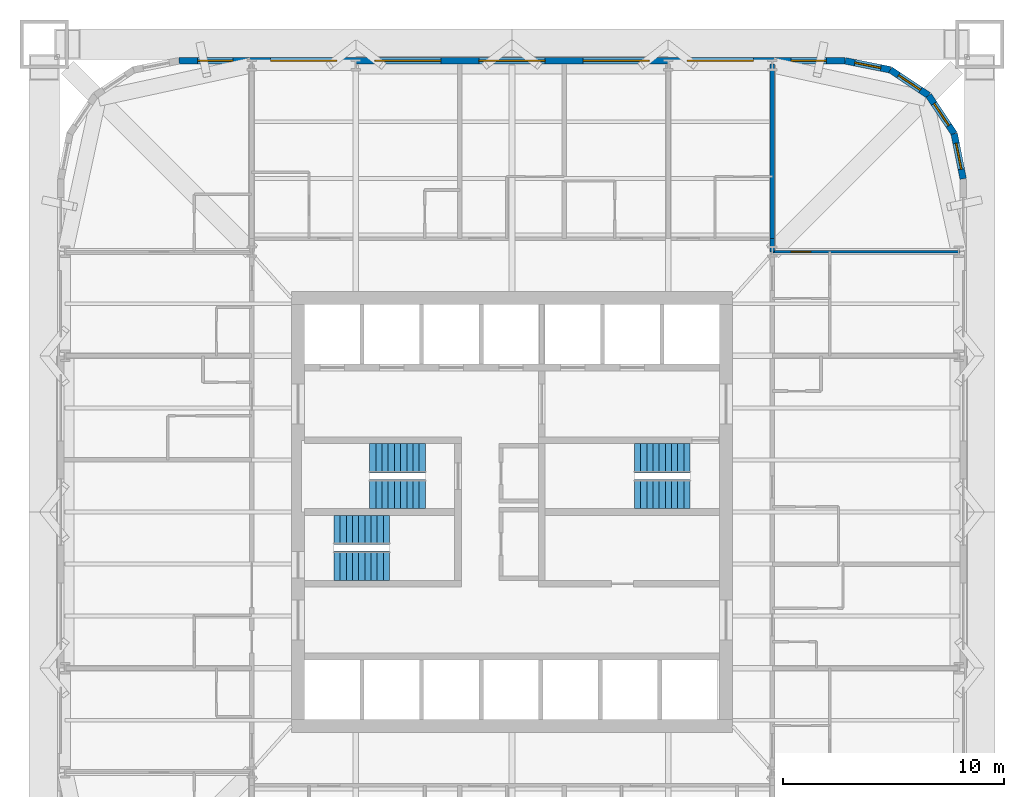
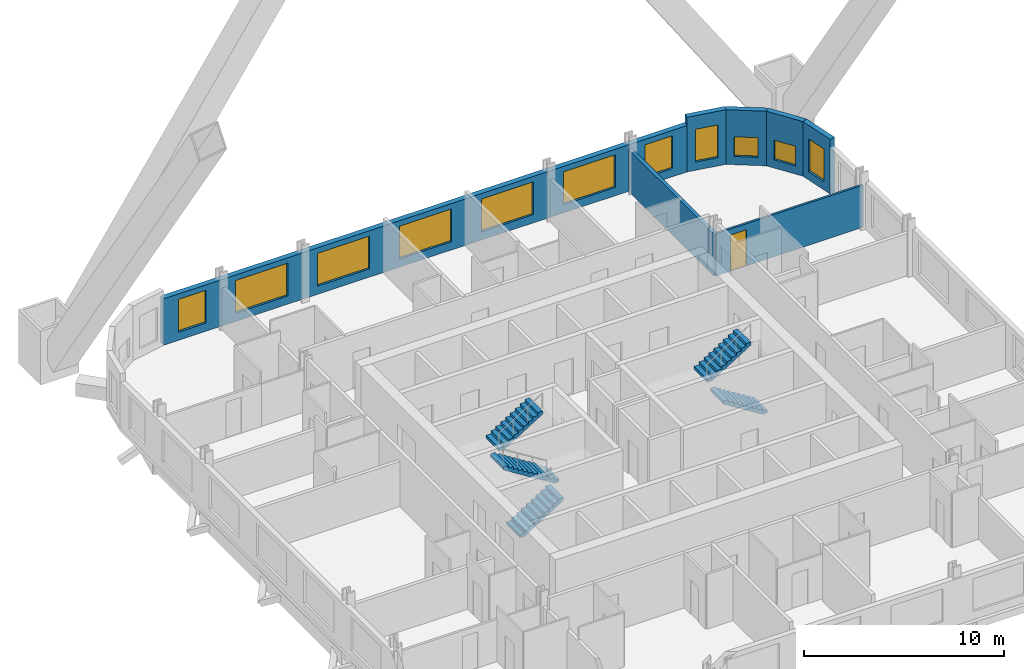
# One storey, part 8 of 9: 11 windows, 8 walls, 6 stair flights, 1 door, 12 openings, 3 elements without a shape of their own.
"""IFC4 building model written with IfcOpenShell, lengths in metres."""

from ifc_helpers import new_model, si_unit, direction, frame, frame_2d, origin, place, context, subcontext, project, spatial, polyline, rectangle, outline, extrude, material, layer, layer_set, type_object, element, fill, aggregate, save


model = new_model("IFC4")

# Units and contexts
model_context = context("Model", 3, precision=1e-05, world=origin(), true_north=direction((0.0, 1.0)))
body_context = subcontext(model_context, "Body", "Model", "MODEL_VIEW")
ifc_project = project(units=[si_unit("LENGTHUNIT", "METRE"), si_unit("AREAUNIT", "SQUARE_METRE"), si_unit("VOLUMEUNIT", "CUBIC_METRE"), si_unit("PLANEANGLEUNIT", "RADIAN"), si_unit("MASSUNIT", "GRAM", prefix="KILO")], contexts=[model_context])

# Site, building, storey
site_placement = place(None, origin())
site = spatial("IfcSite", under=ifc_project, at=site_placement, CompositionType="ELEMENT")
building_placement = place(site_placement, origin())
building = spatial("IfcBuilding", under=site, at=building_placement, Name="Turquesa Mirador Hotel Tower", CompositionType="ELEMENT")
storey_placement = place(building_placement, frame((0.0, 0.0, 93.39990234375)))
storey = spatial("IfcBuildingStorey", under=building, at=storey_placement, Name="L24", CompositionType="ELEMENT", Elevation=93.39990234375)

# Wall
ifc_material_1 = material(Name="Fire-rated gypsum board on steel studs", Category="steel")
ifc_layer_1 = layer(ifc_material_1, 0.199951171875)
ifc_layer_set_1 = layer_set([ifc_layer_1], Name="CORRIDOR WALL 200")
wall_type_1 = type_object("IfcWallType", Name="CORRIDOR WALL 200", PredefinedType="PARTITIONING", material=ifc_layer_set_1)
wall_1_placement = place(storey_placement, frame((66.800048828125, 56.780029296875, 0.0), z_axis=(0.0, 0.0, 1.0), x_axis=(0.0, 1.0, 0.0)))
element("IfcWall", 1, at=wall_1_placement, inside=storey, type_object=wall_type_1, Name="Partition L24 080", PredefinedType="PARTITIONING", context=body_context, shape_type="SweptSolid", body=[
    extrude(rectangle(XDim=0.619873046875, YDim=0.199951171875, at=frame_2d((0.31005859375, 0.0))), origin(), (0.0, 0.0, 1.0), 2.5732421875),
])

# Wall, opening, window
ifc_material_2 = material(Name="Limestone cladding on concrete block", Category="masonry")
ifc_layer_2 = layer(ifc_material_2, 0.300048828125)
ifc_layer_set_2 = layer_set([ifc_layer_2], Name="FACADE WALL 300 STONE SCREEN")
wall_type_2 = type_object("IfcWallType", Name="FACADE WALL 300 STONE SCREEN", PredefinedType="SOLIDWALL", material=ifc_layer_set_2)
wall_2_placement = place(storey_placement, frame((75.449951171875, 60.10009765625, 0.0), z_axis=(0.0, 0.0, 1.0), x_axis=(-0.195081421501, 0.980787050784, 0.0)))
wall_2 = element("IfcWall", 2, at=wall_2_placement, inside=storey, type_object=wall_type_2, Name="Facade wall L24 05", PredefinedType="SOLIDWALL", context=body_context, shape_type="SweptSolid", body=[
    extrude(rectangle(XDim=2.08740234375, YDim=0.300048828125, at=frame_2d((1.043701171875, 0.0))), origin(), (0.0, 0.0, 1.0), 3.330078125),
])
opening_1_placement = place(wall_2_placement, frame((0.443603515625, 0.0, 0.5)))
opening_1 = element("IfcOpeningElement", 3, at=opening_1_placement, cuts=wall_2, Name="Opening WN4", PredefinedType="OPENING", context=body_context, shape_type="SweptSolid", body=[
    extrude(rectangle(XDim=1.199951171875, YDim=2.0, at=frame_2d((0.60009765625, 1.0))), frame((0.0, 0.159912109375, 0.0), z_axis=(0.0, -1.0, 0.0), x_axis=(1.0, 0.0, 0.0)), (0.0, 0.0, 1.0), 0.320068359375),
])
ifc_material_3 = material(Name="Ceramic-fritted laminated glass", Category="glass")
window_type_1 = type_object("IfcWindowType", Name="FRITTED CORNER WINDOW 1200X2000", PartitioningType="DOUBLE_PANEL_HORIZONTAL", PredefinedType="WINDOW", material=ifc_material_3)
window_1_placement = place(opening_1_placement, origin())
window_1 = element("IfcWindow", 4, at=window_1_placement, inside=storey, type_object=window_type_1, Name="Window L24", OverallHeight=2.0, OverallWidth=1.199951171875, PartitioningType="SINGLE_PANEL", PredefinedType="WINDOW", context=body_context, shape_type="SweptSolid", body=[
    extrude(rectangle(XDim=1.199951171875, YDim=2.0, at=frame_2d((0.60009765625, 1.0))), frame((0.0, 0.030029296875, 0.0), z_axis=(0.0, -1.0, 0.0), x_axis=(1.0, 0.0, 0.0)), (0.0, 0.0, 1.0), 0.06005859375),
])
fill(opening_1, window_1)

wall_3_placement = place(storey_placement, frame((75.042724609375, 62.1474609375, 0.0), z_axis=(0.0, 0.0, 1.0), x_axis=(-0.555563607591, 0.831474039234, 0.0)))
wall_3 = element("IfcWall", 5, at=wall_3_placement, inside=storey, type_object=wall_type_2, Name="Facade wall L24 06", PredefinedType="SOLIDWALL", context=body_context, shape_type="SweptSolid", body=[
    extrude(rectangle(XDim=2.08740234375, YDim=0.300048828125, at=frame_2d((1.043701171875, 0.0))), origin(), (0.0, 0.0, 1.0), 3.330078125),
])
opening_2_placement = place(wall_3_placement, frame((0.443603515625, 0.0, 0.5)))
opening_2 = element("IfcOpeningElement", 6, at=opening_2_placement, cuts=wall_3, Name="Opening WN23", PredefinedType="OPENING", context=body_context, shape_type="SweptSolid", body=[
    extrude(rectangle(XDim=1.199951171875, YDim=1.199951171875, at=frame_2d((0.60009765625, 0.60009765625))), frame((0.0, 0.159912109375, 0.0), z_axis=(0.0, -1.0, 0.0), x_axis=(1.0, 0.0, 0.0)), (0.0, 0.0, 1.0), 0.320068359375),
])
ifc_material_4 = material(Name="Ceramic-fritted laminated glass", Category="glass")
window_type_2 = type_object("IfcWindowType", Name="FRITTED CORNER WINDOW 1200X1200", PartitioningType="DOUBLE_PANEL_HORIZONTAL", PredefinedType="WINDOW", material=ifc_material_4)
window_2_placement = place(opening_2_placement, origin())
window_2 = element("IfcWindow", 7, at=window_2_placement, inside=storey, type_object=window_type_2, Name="Window L24", OverallHeight=1.199951171875, OverallWidth=1.199951171875, PartitioningType="SINGLE_PANEL", PredefinedType="WINDOW", context=body_context, shape_type="SweptSolid", body=[
    extrude(rectangle(XDim=1.199951171875, YDim=1.199951171875, at=frame_2d((0.60009765625, 0.60009765625))), frame((0.0, 0.030029296875, 0.0), z_axis=(0.0, -1.0, 0.0), x_axis=(1.0, 0.0, 0.0)), (0.0, 0.0, 1.0), 0.06005859375),
])
fill(opening_2, window_2)

wall_4_placement = place(storey_placement, frame((73.883056640625, 63.883056640625, 0.0), z_axis=(0.0, 0.0, 1.0), x_axis=(-0.831474039234, 0.555563607591, 0.0)))
wall_4 = element("IfcWall", 8, at=wall_4_placement, inside=storey, type_object=wall_type_2, Name="Facade wall L24 07", PredefinedType="SOLIDWALL", context=body_context, shape_type="SweptSolid", body=[
    extrude(rectangle(XDim=2.08740234375, YDim=0.300048828125, at=frame_2d((1.043701171875, 0.0))), origin(), (0.0, 0.0, 1.0), 3.330078125),
])
opening_3_placement = place(wall_4_placement, frame((0.443603515625, 0.0, 0.5)))
opening_3 = element("IfcOpeningElement", 9, at=opening_3_placement, cuts=wall_4, Name="Opening WN23", PredefinedType="OPENING", context=body_context, shape_type="SweptSolid", body=[
    extrude(rectangle(XDim=1.199951171875, YDim=1.199951171875, at=frame_2d((0.60009765625, 0.60009765625))), frame((0.0, 0.159912109375, 0.0), z_axis=(0.0, -1.0, 0.0), x_axis=(1.0, 0.0, 0.0)), (0.0, 0.0, 1.0), 0.320068359375),
])
window_3_placement = place(opening_3_placement, origin())
window_3 = element("IfcWindow", 10, at=window_3_placement, inside=storey, type_object=window_type_2, Name="Window L24", OverallHeight=1.199951171875, OverallWidth=1.199951171875, PartitioningType="SINGLE_PANEL", PredefinedType="WINDOW", context=body_context, shape_type="SweptSolid", body=[
    extrude(rectangle(XDim=1.199951171875, YDim=1.199951171875, at=frame_2d((0.60009765625, 0.60009765625))), frame((0.0, 0.030029296875, 0.0), z_axis=(0.0, -1.0, 0.0), x_axis=(1.0, 0.0, 0.0)), (0.0, 0.0, 1.0), 0.06005859375),
])
fill(opening_3, window_3)

wall_5_placement = place(storey_placement, frame((72.1474609375, 65.042724609375, 0.0), z_axis=(0.0, 0.0, 1.0), x_axis=(-0.980787050784, 0.195081421501, 0.0)))
wall_5 = element("IfcWall", 11, at=wall_5_placement, inside=storey, type_object=wall_type_2, Name="Facade wall L24 08", PredefinedType="SOLIDWALL", context=body_context, shape_type="SweptSolid", body=[
    extrude(rectangle(XDim=2.08740234375, YDim=0.300048828125, at=frame_2d((1.043701171875, 0.0))), origin(), (0.0, 0.0, 1.0), 3.330078125),
])
opening_4_placement = place(wall_5_placement, frame((0.443603515625, 0.0, 0.5)))
opening_4 = element("IfcOpeningElement", 12, at=opening_4_placement, cuts=wall_5, Name="Opening WN4", PredefinedType="OPENING", context=body_context, shape_type="SweptSolid", body=[
    extrude(rectangle(XDim=1.199951171875, YDim=2.0, at=frame_2d((0.60009765625, 1.0))), frame((0.0, 0.159912109375, 0.0), z_axis=(0.0, -1.0, 0.0), x_axis=(1.0, 0.0, 0.0)), (0.0, 0.0, 1.0), 0.320068359375),
])
window_4_placement = place(opening_4_placement, origin())
window_4 = element("IfcWindow", 13, at=window_4_placement, inside=storey, type_object=window_type_1, Name="Window L24", OverallHeight=2.0, OverallWidth=1.199951171875, PartitioningType="SINGLE_PANEL", PredefinedType="WINDOW", context=body_context, shape_type="SweptSolid", body=[
    extrude(rectangle(XDim=1.199951171875, YDim=2.0, at=frame_2d((0.60009765625, 1.0))), frame((0.0, 0.030029296875, 0.0), z_axis=(0.0, -1.0, 0.0), x_axis=(1.0, 0.0, 0.0)), (0.0, 0.0, 1.0), 0.06005859375),
])
fill(opening_4, window_4)

# Wall, openings, windows
wall_6_placement = place(storey_placement, frame((70.10009765625, 65.449951171875, 0.0), z_axis=(0.0, 0.0, 1.0), x_axis=(-1.0, 0.0, 0.0)))
wall_6 = element("IfcWall", 14, at=wall_6_placement, inside=storey, type_object=wall_type_2, Name="Facade wall L24 09", PredefinedType="SOLIDWALL", context=body_context, shape_type="SweptSolid", body=[
    extrude(rectangle(XDim=30.2001953125, YDim=0.300048828125, at=frame_2d((15.10009765625, 0.0))), origin(), (0.0, 0.0, 1.0), 2.830078125),
])
opening_5_placement = place(wall_6_placement, frame((0.85009765625, 0.0, 0.5)))
opening_5 = element("IfcOpeningElement", 15, at=opening_5_placement, cuts=wall_6, Name="Opening WN3", PredefinedType="OPENING", context=body_context, shape_type="SweptSolid", body=[
    extrude(rectangle(XDim=1.60009765625, YDim=2.0, at=frame_2d((0.800048828125, 1.0))), frame((0.0, 0.159912109375, 0.0), z_axis=(0.0, -1.0, 0.0), x_axis=(1.0, 0.0, 0.0)), (0.0, 0.0, 1.0), 0.320068359375),
])
opening_6_placement = place(wall_6_placement, frame((4.159912109375, 0.0, 0.5)))
opening_6 = element("IfcOpeningElement", 16, at=opening_6_placement, cuts=wall_6, Name="Opening WN1", PredefinedType="OPENING", context=body_context, shape_type="SweptSolid", body=[
    extrude(rectangle(XDim=3.0, YDim=2.0, at=frame_2d((1.5, 1.0))), frame((0.0, 0.159912109375, 0.0), z_axis=(0.0, -1.0, 0.0), x_axis=(1.0, 0.0, 0.0)), (0.0, 0.0, 1.0), 0.320068359375),
])
opening_7_placement = place(wall_6_placement, frame((8.8798828125, 0.0, 0.5)))
opening_7 = element("IfcOpeningElement", 17, at=opening_7_placement, cuts=wall_6, Name="Opening WN1", PredefinedType="OPENING", context=body_context, shape_type="SweptSolid", body=[
    extrude(rectangle(XDim=3.0, YDim=2.0, at=frame_2d((1.5, 1.0))), frame((0.0, 0.159912109375, 0.0), z_axis=(0.0, -1.0, 0.0), x_axis=(1.0, 0.0, 0.0)), (0.0, 0.0, 1.0), 0.320068359375),
])
opening_8_placement = place(wall_6_placement, frame((13.60009765625, 0.0, 0.5)))
opening_8 = element("IfcOpeningElement", 18, at=opening_8_placement, cuts=wall_6, Name="Opening WN1", PredefinedType="OPENING", context=body_context, shape_type="SweptSolid", body=[
    extrude(rectangle(XDim=3.0, YDim=2.0, at=frame_2d((1.5, 1.0))), frame((0.0, 0.159912109375, 0.0), z_axis=(0.0, -1.0, 0.0), x_axis=(1.0, 0.0, 0.0)), (0.0, 0.0, 1.0), 0.320068359375),
])
opening_9_placement = place(wall_6_placement, frame((18.320068359375, 0.0, 0.5)))
opening_9 = element("IfcOpeningElement", 19, at=opening_9_placement, cuts=wall_6, Name="Opening WN1", PredefinedType="OPENING", context=body_context, shape_type="SweptSolid", body=[
    extrude(rectangle(XDim=3.0, YDim=2.0, at=frame_2d((1.5, 1.0))), frame((0.0, 0.159912109375, 0.0), z_axis=(0.0, -1.0, 0.0), x_axis=(1.0, 0.0, 0.0)), (0.0, 0.0, 1.0), 0.320068359375),
])
opening_10_placement = place(wall_6_placement, frame((23.0400390625, 0.0, 0.5)))
opening_10 = element("IfcOpeningElement", 20, at=opening_10_placement, cuts=wall_6, Name="Opening WN1", PredefinedType="OPENING", context=body_context, shape_type="SweptSolid", body=[
    extrude(rectangle(XDim=3.0, YDim=2.0, at=frame_2d((1.5, 1.0))), frame((0.0, 0.159912109375, 0.0), z_axis=(0.0, -1.0, 0.0), x_axis=(1.0, 0.0, 0.0)), (0.0, 0.0, 1.0), 0.320068359375),
])
opening_11_placement = place(wall_6_placement, frame((27.75, 0.0, 0.5)))
opening_11 = element("IfcOpeningElement", 21, at=opening_11_placement, cuts=wall_6, Name="Opening WN3", PredefinedType="OPENING", context=body_context, shape_type="SweptSolid", body=[
    extrude(rectangle(XDim=1.60009765625, YDim=2.0, at=frame_2d((0.800048828125, 1.0))), frame((0.0, 0.159912109375, 0.0), z_axis=(0.0, -1.0, 0.0), x_axis=(1.0, 0.0, 0.0)), (0.0, 0.0, 1.0), 0.320068359375),
])
ifc_material_5 = material(Name="Ceramic-fritted laminated glass", Category="glass")
window_type_3 = type_object("IfcWindowType", Name="FRITTED WINDOW 1600X2000", PartitioningType="DOUBLE_PANEL_HORIZONTAL", PredefinedType="WINDOW", material=ifc_material_5)
window_5_placement = place(opening_5_placement, origin())
window_5 = element("IfcWindow", 22, at=window_5_placement, inside=storey, type_object=window_type_3, Name="Window L24", OverallHeight=2.0, OverallWidth=1.60009765625, PartitioningType="SINGLE_PANEL", PredefinedType="WINDOW", context=body_context, shape_type="SweptSolid", body=[
    extrude(rectangle(XDim=1.60009765625, YDim=2.0, at=frame_2d((0.800048828125, 1.0))), frame((0.0, 0.030029296875, 0.0), z_axis=(0.0, -1.0, 0.0), x_axis=(1.0, 0.0, 0.0)), (0.0, 0.0, 1.0), 0.06005859375),
])
fill(opening_5, window_5)
window_6_placement = place(opening_11_placement, origin())
window_6 = element("IfcWindow", 23, at=window_6_placement, inside=storey, type_object=window_type_3, Name="Window L24", OverallHeight=2.0, OverallWidth=1.60009765625, PartitioningType="SINGLE_PANEL", PredefinedType="WINDOW", context=body_context, shape_type="SweptSolid", body=[
    extrude(rectangle(XDim=1.60009765625, YDim=2.0, at=frame_2d((0.800048828125, 1.0))), frame((0.0, 0.030029296875, 0.0), z_axis=(0.0, -1.0, 0.0), x_axis=(1.0, 0.0, 0.0)), (0.0, 0.0, 1.0), 0.06005859375),
])
fill(opening_11, window_6)
ifc_material_6 = material(Name="Ceramic-fritted laminated glass", Category="glass")
window_type_4 = type_object("IfcWindowType", Name="FRITTED WINDOW 3000X2000", PartitioningType="DOUBLE_PANEL_HORIZONTAL", PredefinedType="WINDOW", material=ifc_material_6)
window_7_placement = place(opening_6_placement, origin())
window_7 = element("IfcWindow", 24, at=window_7_placement, inside=storey, type_object=window_type_4, Name="Window L24", OverallHeight=2.0, OverallWidth=3.0, PartitioningType="SINGLE_PANEL", PredefinedType="WINDOW", context=body_context, shape_type="SweptSolid", body=[
    extrude(rectangle(XDim=3.0, YDim=2.0, at=frame_2d((1.5, 1.0))), frame((0.0, 0.030029296875, 0.0), z_axis=(0.0, -1.0, 0.0), x_axis=(1.0, 0.0, 0.0)), (0.0, 0.0, 1.0), 0.06005859375),
])
fill(opening_6, window_7)
window_8_placement = place(opening_7_placement, origin())
window_8 = element("IfcWindow", 25, at=window_8_placement, inside=storey, type_object=window_type_4, Name="Window L24", OverallHeight=2.0, OverallWidth=3.0, PartitioningType="SINGLE_PANEL", PredefinedType="WINDOW", context=body_context, shape_type="SweptSolid", body=[
    extrude(rectangle(XDim=3.0, YDim=2.0, at=frame_2d((1.5, 1.0))), frame((0.0, 0.030029296875, 0.0), z_axis=(0.0, -1.0, 0.0), x_axis=(1.0, 0.0, 0.0)), (0.0, 0.0, 1.0), 0.06005859375),
])
fill(opening_7, window_8)
window_9_placement = place(opening_8_placement, origin())
window_9 = element("IfcWindow", 26, at=window_9_placement, inside=storey, type_object=window_type_4, Name="Window L24", OverallHeight=2.0, OverallWidth=3.0, PartitioningType="SINGLE_PANEL", PredefinedType="WINDOW", context=body_context, shape_type="SweptSolid", body=[
    extrude(rectangle(XDim=3.0, YDim=2.0, at=frame_2d((1.5, 1.0))), frame((0.0, 0.030029296875, 0.0), z_axis=(0.0, -1.0, 0.0), x_axis=(1.0, 0.0, 0.0)), (0.0, 0.0, 1.0), 0.06005859375),
])
fill(opening_8, window_9)
window_10_placement = place(opening_9_placement, origin())
window_10 = element("IfcWindow", 27, at=window_10_placement, inside=storey, type_object=window_type_4, Name="Window L24", OverallHeight=2.0, OverallWidth=3.0, PartitioningType="SINGLE_PANEL", PredefinedType="WINDOW", context=body_context, shape_type="SweptSolid", body=[
    extrude(rectangle(XDim=3.0, YDim=2.0, at=frame_2d((1.5, 1.0))), frame((0.0, 0.030029296875, 0.0), z_axis=(0.0, -1.0, 0.0), x_axis=(1.0, 0.0, 0.0)), (0.0, 0.0, 1.0), 0.06005859375),
])
fill(opening_9, window_10)
window_11_placement = place(opening_10_placement, origin())
window_11 = element("IfcWindow", 28, at=window_11_placement, inside=storey, type_object=window_type_4, Name="Window L24", OverallHeight=2.0, OverallWidth=3.0, PartitioningType="SINGLE_PANEL", PredefinedType="WINDOW", context=body_context, shape_type="SweptSolid", body=[
    extrude(rectangle(XDim=3.0, YDim=2.0, at=frame_2d((1.5, 1.0))), frame((0.0, 0.030029296875, 0.0), z_axis=(0.0, -1.0, 0.0), x_axis=(1.0, 0.0, 0.0)), (0.0, 0.0, 1.0), 0.06005859375),
])
fill(opening_10, window_11)

# Wall
ifc_material_7 = material(Name="Fire-rated gypsum board on steel studs", Category="steel")
ifc_layer_3 = layer(ifc_material_7, 0.199951171875)
ifc_layer_set_3 = layer_set([ifc_layer_3], Name="PARTY WALL 200")
wall_type_3 = type_object("IfcWallType", Name="PARTY WALL 200", PredefinedType="PARTITIONING", material=ifc_layer_set_3)
wall_7_placement = place(storey_placement, frame((66.800048828125, 57.39990234375, 0.0), z_axis=(0.0, 0.0, 1.0), x_axis=(0.0, 1.0, 0.0)))
element("IfcWall", 29, at=wall_7_placement, inside=storey, type_object=wall_type_3, Name="Partition L24 060", PredefinedType="PARTITIONING", context=body_context, shape_type="SweptSolid", body=[
    extrude(rectangle(XDim=7.900146484375, YDim=0.199951171875, at=frame_2d((3.9501953125, 0.0))), origin(), (0.0, 0.0, 1.0), 2.5732421875),
])

# Wall, opening, door
ifc_material_8 = material(Name="Acoustic gypsum board on steel studs", Category="steel")
ifc_layer_4 = layer(ifc_material_8, 0.125)
ifc_layer_set_4 = layer_set([ifc_layer_4], Name="SUITE PARTITION 125")
wall_type_4 = type_object("IfcWallType", Name="SUITE PARTITION 125", PredefinedType="PARTITIONING", material=ifc_layer_set_4)
wall_8_placement = place(storey_placement, frame((66.800048828125, 56.800048828125, 0.0), z_axis=(0.0, 0.0, 1.0), x_axis=(1.0, 0.0, 0.0)))
wall_8 = element("IfcWall", 30, at=wall_8_placement, inside=storey, type_object=wall_type_4, Name="Partition L24 023", PredefinedType="PARTITIONING", context=body_context, shape_type="SweptSolid", body=[
    extrude(rectangle(XDim=8.5, YDim=0.125, at=frame_2d((4.25, 0.0))), origin(), (0.0, 0.0, 1.0), 2.5732421875),
])
opening_12_placement = place(wall_8_placement, frame((0.85009765625, 0.0, 0.0)))
opening_12 = element("IfcOpeningElement", 31, at=opening_12_placement, cuts=wall_8, Name="Opening D17", PredefinedType="OPENING", context=body_context, shape_type="SweptSolid", body=[
    extrude(rectangle(XDim=0.89990234375, YDim=2.199951171875, at=frame_2d((0.449951171875, 1.10009765625))), frame((0.0, 0.072509765625, 0.0), z_axis=(0.0, -1.0, 0.0), x_axis=(1.0, 0.0, 0.0)), (0.0, 0.0, 1.0), 0.14501953125),
])
ifc_material_9 = material(Name="Timber veneered door", Category="wood")
door_type = type_object("IfcDoorType", Name="DOOR 900X2200 SUITE INTERNAL", OperationType="SINGLE_SWING_LEFT", PredefinedType="DOOR", material=ifc_material_9)
door_placement = place(opening_12_placement, origin())
door = element("IfcDoor", 32, at=door_placement, inside=storey, type_object=door_type, Name="Door 2411", OperationType="SINGLE_SWING_LEFT", OverallHeight=2.199951171875, OverallWidth=0.89990234375, PredefinedType="DOOR", context=body_context, shape_type="SweptSolid", body=[
    extrude(rectangle(XDim=0.89990234375, YDim=2.199951171875, at=frame_2d((0.449951171875, 1.10009765625))), frame((0.0, 0.02490234375, 0.0), z_axis=(0.0, -1.0, 0.0), x_axis=(1.0, 0.0, 0.0)), (0.0, 0.0, 1.0), 0.050048828125),
])
fill(opening_12, door)

# Stair, stair flights
ifc_material_10 = material(Name="Concrete C35/45", Category="concrete")
stair_type = type_object("IfcStairType", Name="ESCAPE STAIR CORE", PredefinedType="HALF_TURN_STAIR", material=ifc_material_10)
stair_1_placement = place(storey_placement, origin())
stair_1 = element("IfcStair", 33, at=stair_1_placement, inside=storey, type_object=stair_type, Name="Stair ST1 L24 to L25", PredefinedType="HALF_TURN_STAIR")
ifc_material_11 = material(Name="Concrete C35/45 precast flight", Category="concrete")
stair_flight_type = type_object("IfcStairFlightType", Name="STAIR FLIGHT 1330", PredefinedType="STRAIGHT", material=ifc_material_11)
stair_flight_1_placement = place(storey_placement, frame((51.070068359375, 45.81494140625, 0.0), z_axis=(0.0, 0.0, 1.0), x_axis=(-1.0, 0.0, 0.0)))
stair_flight_1 = element("IfcStairFlight", 34, at=stair_flight_1_placement, type_object=stair_flight_type, Name="ST1 flight 1", NumberOfRisers=10, NumberOfTreads=9, PredefinedType="STRAIGHT", RiserHeight=0.175, TreadLength=0.28, context=body_context, shape_type="SweptSolid", body=[
    extrude(outline(polyline([(0.0, 0.0), (0.0, 0.175048828125), (0.280029296875, 0.175048828125), (0.280029296875, 0.35009765625), (0.56005859375, 0.35009765625), (0.56005859375, 0.52490234375), (0.840087890625, 0.52490234375), (0.840087890625, 0.699951171875), (1.1201171875, 0.699951171875), (1.1201171875, 0.875), (1.39990234375, 0.875), (1.39990234375, 1.050048828125), (1.679931640625, 1.050048828125), (1.679931640625, 1.22509765625), (1.9599609375, 1.22509765625), (1.9599609375, 1.39990234375), (2.239990234375, 1.39990234375), (2.239990234375, 1.574951171875), (2.52001953125, 1.574951171875), (2.52001953125, 1.75), (2.52001953125, 1.398193359375), (0.28271484375, 0.0), (0.0, 0.0)])), frame((0.0, 0.6650390625, 0.0), z_axis=(0.0, -1.0, 0.0), x_axis=(1.0, 0.0, 0.0)), (0.0, 0.0, 1.0), 1.330078125),
])
stair_flight_2_placement = place(storey_placement, frame((48.550048828125, 47.43505859375, 1.75), z_axis=(0.0, 0.0, 1.0), x_axis=(1.0, 0.0, 0.0)))
stair_flight_2 = element("IfcStairFlight", 35, at=stair_flight_2_placement, type_object=stair_flight_type, Name="ST1 flight 2", NumberOfRisers=10, NumberOfTreads=9, PredefinedType="STRAIGHT", RiserHeight=0.175, TreadLength=0.28, context=body_context, shape_type="SweptSolid", body=[
    extrude(outline(polyline([(0.0, 0.0), (0.0, 0.175048828125), (0.280029296875, 0.175048828125), (0.280029296875, 0.35009765625), (0.56005859375, 0.35009765625), (0.56005859375, 0.52490234375), (0.840087890625, 0.52490234375), (0.840087890625, 0.699951171875), (1.1201171875, 0.699951171875), (1.1201171875, 0.875), (1.39990234375, 0.875), (1.39990234375, 1.050048828125), (1.679931640625, 1.050048828125), (1.679931640625, 1.22509765625), (1.9599609375, 1.22509765625), (1.9599609375, 1.39990234375), (2.239990234375, 1.39990234375), (2.239990234375, 1.574951171875), (2.52001953125, 1.574951171875), (2.52001953125, 1.75), (2.52001953125, 1.398193359375), (0.28271484375, 0.0), (0.0, 0.0)])), frame((0.0, 0.6650390625, 0.0), z_axis=(0.0, -1.0, 0.0), x_axis=(1.0, 0.0, 0.0)), (0.0, 0.0, 1.0), 1.330078125),
])
aggregate(stair_1, [stair_flight_1, stair_flight_2])

stair_2_placement = place(storey_placement, origin())
stair_2 = element("IfcStair", 36, at=stair_2_placement, inside=storey, type_object=stair_type, Name="Stair ST2 L24 to L25", PredefinedType="HALF_TURN_STAIR")
stair_flight_3_placement = place(storey_placement, frame((46.929931640625, 42.56494140625, 0.0), z_axis=(0.0, 0.0, 1.0), x_axis=(1.0, 0.0, 0.0)))
stair_flight_3 = element("IfcStairFlight", 37, at=stair_flight_3_placement, type_object=stair_flight_type, Name="ST2 flight 1", NumberOfRisers=10, NumberOfTreads=9, PredefinedType="STRAIGHT", RiserHeight=0.175, TreadLength=0.28, context=body_context, shape_type="SweptSolid", body=[
    extrude(outline(polyline([(0.0, 0.0), (0.0, 0.175048828125), (0.280029296875, 0.175048828125), (0.280029296875, 0.35009765625), (0.56005859375, 0.35009765625), (0.56005859375, 0.52490234375), (0.840087890625, 0.52490234375), (0.840087890625, 0.699951171875), (1.1201171875, 0.699951171875), (1.1201171875, 0.875), (1.39990234375, 0.875), (1.39990234375, 1.050048828125), (1.679931640625, 1.050048828125), (1.679931640625, 1.22509765625), (1.9599609375, 1.22509765625), (1.9599609375, 1.39990234375), (2.239990234375, 1.39990234375), (2.239990234375, 1.574951171875), (2.52001953125, 1.574951171875), (2.52001953125, 1.75), (2.52001953125, 1.398193359375), (0.28271484375, 0.0), (0.0, 0.0)])), frame((0.0, 0.6650390625, 0.0), z_axis=(0.0, -1.0, 0.0), x_axis=(1.0, 0.0, 0.0)), (0.0, 0.0, 1.0), 1.330078125),
])
stair_flight_4_placement = place(storey_placement, frame((49.449951171875, 44.18505859375, 1.75), z_axis=(0.0, 0.0, 1.0), x_axis=(-1.0, 0.0, 0.0)))
stair_flight_4 = element("IfcStairFlight", 38, at=stair_flight_4_placement, type_object=stair_flight_type, Name="ST2 flight 2", NumberOfRisers=10, NumberOfTreads=9, PredefinedType="STRAIGHT", RiserHeight=0.175, TreadLength=0.28, context=body_context, shape_type="SweptSolid", body=[
    extrude(outline(polyline([(0.0, 0.0), (0.0, 0.175048828125), (0.280029296875, 0.175048828125), (0.280029296875, 0.35009765625), (0.56005859375, 0.35009765625), (0.56005859375, 0.52490234375), (0.840087890625, 0.52490234375), (0.840087890625, 0.699951171875), (1.1201171875, 0.699951171875), (1.1201171875, 0.875), (1.39990234375, 0.875), (1.39990234375, 1.050048828125), (1.679931640625, 1.050048828125), (1.679931640625, 1.22509765625), (1.9599609375, 1.22509765625), (1.9599609375, 1.39990234375), (2.239990234375, 1.39990234375), (2.239990234375, 1.574951171875), (2.52001953125, 1.574951171875), (2.52001953125, 1.75), (2.52001953125, 1.398193359375), (0.28271484375, 0.0), (0.0, 0.0)])), frame((0.0, 0.6650390625, 0.0), z_axis=(0.0, -1.0, 0.0), x_axis=(1.0, 0.0, 0.0)), (0.0, 0.0, 1.0), 1.330078125),
])
aggregate(stair_2, [stair_flight_3, stair_flight_4])

stair_3_placement = place(storey_placement, origin())
stair_3 = element("IfcStair", 39, at=stair_3_placement, inside=storey, type_object=stair_type, Name="Stair ST3 L24 to L25", PredefinedType="HALF_TURN_STAIR")
stair_flight_5_placement = place(storey_placement, frame((63.070068359375, 45.81494140625, 0.0), z_axis=(0.0, 0.0, 1.0), x_axis=(-1.0, 0.0, 0.0)))
stair_flight_5 = element("IfcStairFlight", 40, at=stair_flight_5_placement, type_object=stair_flight_type, Name="ST3 flight 1", NumberOfRisers=10, NumberOfTreads=9, PredefinedType="STRAIGHT", RiserHeight=0.175, TreadLength=0.28, context=body_context, shape_type="SweptSolid", body=[
    extrude(outline(polyline([(0.0, 0.0), (0.0, 0.175048828125), (0.280029296875, 0.175048828125), (0.280029296875, 0.35009765625), (0.56005859375, 0.35009765625), (0.56005859375, 0.52490234375), (0.840087890625, 0.52490234375), (0.840087890625, 0.699951171875), (1.1201171875, 0.699951171875), (1.1201171875, 0.875), (1.39990234375, 0.875), (1.39990234375, 1.050048828125), (1.679931640625, 1.050048828125), (1.679931640625, 1.22509765625), (1.9599609375, 1.22509765625), (1.9599609375, 1.39990234375), (2.239990234375, 1.39990234375), (2.239990234375, 1.574951171875), (2.52001953125, 1.574951171875), (2.52001953125, 1.75), (2.52001953125, 1.398193359375), (0.28271484375, 0.0), (0.0, 0.0)])), frame((0.0, 0.6650390625, 0.0), z_axis=(0.0, -1.0, 0.0), x_axis=(1.0, 0.0, 0.0)), (0.0, 0.0, 1.0), 1.330078125),
])
stair_flight_6_placement = place(storey_placement, frame((60.550048828125, 47.43505859375, 1.75), z_axis=(0.0, 0.0, 1.0), x_axis=(1.0, 0.0, 0.0)))
stair_flight_6 = element("IfcStairFlight", 41, at=stair_flight_6_placement, type_object=stair_flight_type, Name="ST3 flight 2", NumberOfRisers=10, NumberOfTreads=9, PredefinedType="STRAIGHT", RiserHeight=0.175, TreadLength=0.28, context=body_context, shape_type="SweptSolid", body=[
    extrude(outline(polyline([(0.0, 0.0), (0.0, 0.175048828125), (0.280029296875, 0.175048828125), (0.280029296875, 0.35009765625), (0.56005859375, 0.35009765625), (0.56005859375, 0.52490234375), (0.840087890625, 0.52490234375), (0.840087890625, 0.699951171875), (1.1201171875, 0.699951171875), (1.1201171875, 0.875), (1.39990234375, 0.875), (1.39990234375, 1.050048828125), (1.679931640625, 1.050048828125), (1.679931640625, 1.22509765625), (1.9599609375, 1.22509765625), (1.9599609375, 1.39990234375), (2.239990234375, 1.39990234375), (2.239990234375, 1.574951171875), (2.52001953125, 1.574951171875), (2.52001953125, 1.75), (2.52001953125, 1.398193359375), (0.28271484375, 0.0), (0.0, 0.0)])), frame((0.0, 0.6650390625, 0.0), z_axis=(0.0, -1.0, 0.0), x_axis=(1.0, 0.0, 0.0)), (0.0, 0.0, 1.0), 1.330078125),
])
aggregate(stair_3, [stair_flight_5, stair_flight_6])

save(model, "model.ifc")
